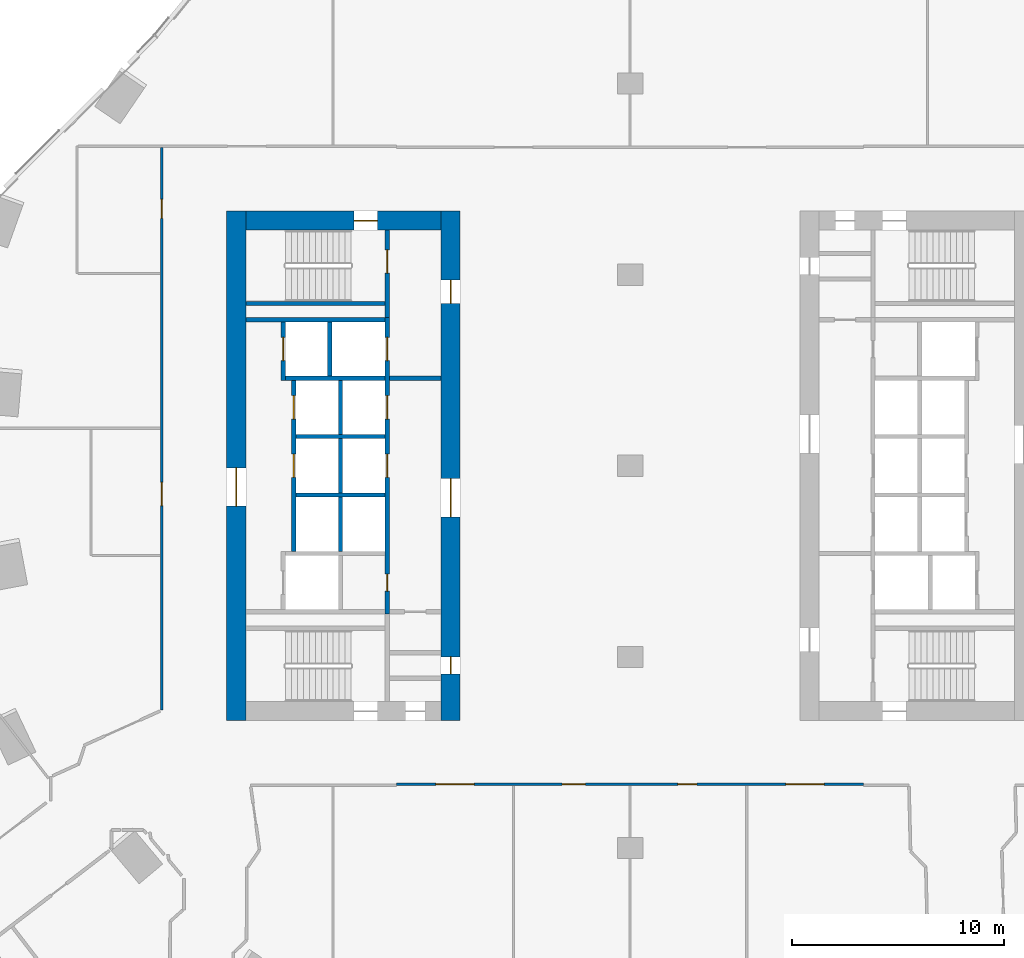
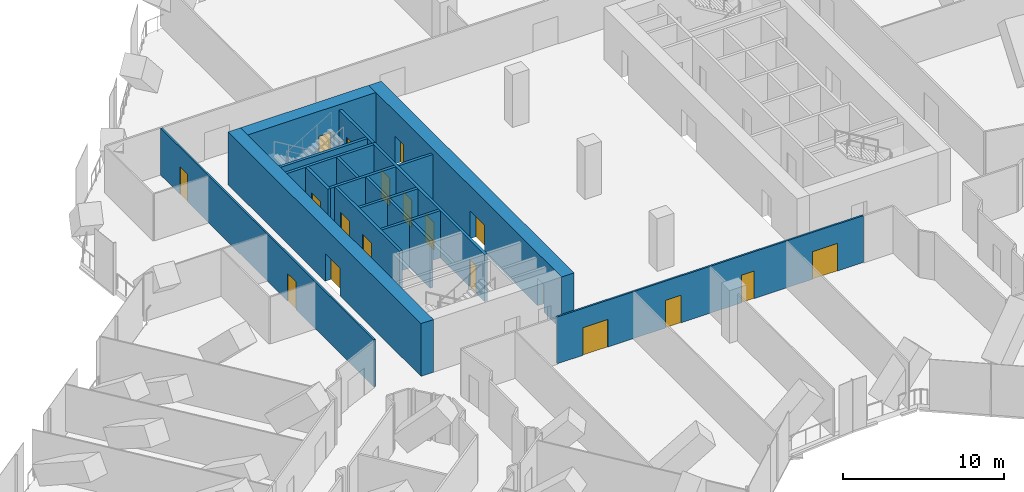
# One storey, part 25 of 32: 19 doors, 19 walls, 19 openings.
"""IFC4 building model written with IfcOpenShell, lengths in metres."""

from ifc_helpers import new_model, si_unit, direction, frame, frame_2d, origin, place, context, subcontext, project, spatial, rectangle, extrude, material, layer, layer_set, type_object, element, fill, save


model = new_model("IFC4")

# Units and contexts
model_context = context("Model", 3, precision=1e-05, world=origin(), true_north=direction((0.0, 1.0)))
body_context = subcontext(model_context, "Body", "Model", "MODEL_VIEW")
ifc_project = project(units=[si_unit("LENGTHUNIT", "METRE"), si_unit("AREAUNIT", "SQUARE_METRE"), si_unit("VOLUMEUNIT", "CUBIC_METRE"), si_unit("PLANEANGLEUNIT", "RADIAN"), si_unit("MASSUNIT", "GRAM", prefix="KILO")], contexts=[model_context])

# Site, building, storey
site_placement = place(None, origin())
site = spatial("IfcSite", under=ifc_project, at=site_placement, CompositionType="ELEMENT")
building_placement = place(site_placement, origin())
building = spatial("IfcBuilding", under=site, at=building_placement, Name="Orlundy Tower", CompositionType="ELEMENT")
storey_placement = place(building_placement, frame((0.0, 0.0, 33.300048828125)))
storey = spatial("IfcBuildingStorey", under=building, at=storey_placement, Name="L06", CompositionType="ELEMENT", Elevation=33.300048828125)

# Wall, opening, door
ifc_material_1 = material(Name="Concrete C80/95", Category="concrete")
ifc_layer_1 = layer(ifc_material_1, 0.89990234375)
ifc_layer_set_1 = layer_set([ifc_layer_1], Name="CORE WALL 900 C80/95")
wall_type_1 = type_object("IfcWallType", Name="CORE WALL 900 C80/95", PredefinedType="SHEAR", material=ifc_layer_set_1)
wall_1_placement = place(storey_placement, frame((-18.10009765625, 11.550048828125, 0.0), z_axis=(0.0, 0.0, 1.0), x_axis=(1.0, 0.0, 0.0)))
wall_1 = element("IfcWall", 1, at=wall_1_placement, inside=storey, type_object=wall_type_1, Name="Core wall W-N L06", PredefinedType="SHEAR", context=body_context, shape_type="SweptSolid", body=[
    extrude(rectangle(XDim=9.2001953125, YDim=0.89990234375, at=frame_2d((4.60009765625, 0.0))), origin(), (0.0, 0.0, 1.0), 4.0),
])
opening_1_placement = place(wall_1_placement, frame((5.10009765625, 0.0, 0.0)))
opening_1 = element("IfcOpeningElement", 2, at=opening_1_placement, cuts=wall_1, Name="Opening 07012", PredefinedType="OPENING", context=body_context, shape_type="SweptSolid", body=[
    extrude(rectangle(XDim=1.10009765625, YDim=2.10009765625, at=frame_2d((0.550048828125, 1.050048828125))), frame((0.0, 0.4599609375, 0.0), z_axis=(0.0, -1.0, 0.0), x_axis=(1.0, 0.0, 0.0)), (0.0, 0.0, 1.0), 0.919921875),
])
ifc_material_2 = material(Name="Steel door set", Category="steel")
door_type_1 = type_object("IfcDoorType", Name="Stair Door 1100x2100", OperationType="SINGLE_SWING_LEFT", PredefinedType="DOOR", material=ifc_material_2)
door_1_placement = place(opening_1_placement, origin())
door_1 = element("IfcDoor", 3, at=door_1_placement, inside=storey, type_object=door_type_1, Name="Stair door 07012", OperationType="SINGLE_SWING_RIGHT", OverallHeight=2.10009765625, OverallWidth=1.10009765625, PredefinedType="DOOR", context=body_context, shape_type="SweptSolid", body=[
    extrude(rectangle(XDim=1.10009765625, YDim=2.10009765625, at=frame_2d((0.550048828125, 1.050048828125))), frame((0.0, 0.02490234375, 0.0), z_axis=(0.0, -1.0, 0.0), x_axis=(1.0, 0.0, 0.0)), (0.0, 0.0, 1.0), 0.050048828125),
])
fill(opening_1, door_1)

wall_2_placement = place(storey_placement, frame((-18.550048828125, -12.0, 0.0), z_axis=(0.0, 0.0, 1.0), x_axis=(0.0, 1.0, 0.0)))
wall_2 = element("IfcWall", 4, at=wall_2_placement, inside=storey, type_object=wall_type_1, Name="Core wall W-W L06", PredefinedType="SHEAR", context=body_context, shape_type="SweptSolid", body=[
    extrude(rectangle(XDim=24.0, YDim=0.89990234375, at=frame_2d((12.0, 0.0))), origin(), (0.0, 0.0, 1.0), 4.0),
])
opening_2_placement = place(wall_2_placement, frame((10.10009765625, 0.0, 0.0)))
opening_2 = element("IfcOpeningElement", 5, at=opening_2_placement, cuts=wall_2, Name="Opening 07010", PredefinedType="OPENING", context=body_context, shape_type="SweptSolid", body=[
    extrude(rectangle(XDim=1.800048828125, YDim=2.10009765625, at=frame_2d((0.89990234375, 1.050048828125))), frame((0.0, 0.4599609375, 0.0), z_axis=(0.0, -1.0, 0.0), x_axis=(1.0, 0.0, 0.0)), (0.0, 0.0, 1.0), 0.919921875),
])
ifc_material_3 = material(Name="Timber door set", Category="wood")
door_type_2 = type_object("IfcDoorType", Name="Lobby Door 1800x2100", OperationType="DOUBLE_DOOR_DOUBLE_SWING", PredefinedType="DOOR", material=ifc_material_3)
door_2_placement = place(opening_2_placement, origin())
door_2 = element("IfcDoor", 6, at=door_2_placement, inside=storey, type_object=door_type_2, Name="Lift lobby door 07010", OperationType="SINGLE_SWING_LEFT", OverallHeight=2.10009765625, OverallWidth=1.800048828125, PredefinedType="DOOR", context=body_context, shape_type="SweptSolid", body=[
    extrude(rectangle(XDim=1.800048828125, YDim=2.10009765625, at=frame_2d((0.89990234375, 1.050048828125))), frame((0.0, 0.02490234375, 0.0), z_axis=(0.0, -1.0, 0.0), x_axis=(1.0, 0.0, 0.0)), (0.0, 0.0, 1.0), 0.050048828125),
])
fill(opening_2, door_2)

# Wall, openings, doors
wall_3_placement = place(storey_placement, frame((-8.449951171875, -12.0, 0.0), z_axis=(0.0, 0.0, 1.0), x_axis=(0.0, 1.0, 0.0)))
wall_3 = element("IfcWall", 7, at=wall_3_placement, inside=storey, type_object=wall_type_1, Name="Core wall W-E L06", PredefinedType="SHEAR", context=body_context, shape_type="SweptSolid", body=[
    extrude(rectangle(XDim=24.0, YDim=0.89990234375, at=frame_2d((12.0, 0.0))), origin(), (0.0, 0.0, 1.0), 4.0),
])
opening_3_placement = place(wall_3_placement, frame((9.60009765625, 0.0, 0.0)))
opening_3 = element("IfcOpeningElement", 8, at=opening_3_placement, cuts=wall_3, Name="Opening 07009", PredefinedType="OPENING", context=body_context, shape_type="SweptSolid", body=[
    extrude(rectangle(XDim=1.800048828125, YDim=2.10009765625, at=frame_2d((0.89990234375, 1.050048828125))), frame((0.0, 0.4599609375, 0.0), z_axis=(0.0, -1.0, 0.0), x_axis=(1.0, 0.0, 0.0)), (0.0, 0.0, 1.0), 0.919921875),
])
opening_4_placement = place(wall_3_placement, frame((19.64990234375, 0.0, 0.0)))
opening_4 = element("IfcOpeningElement", 9, at=opening_4_placement, cuts=wall_3, Name="Opening 07011", PredefinedType="OPENING", context=body_context, shape_type="SweptSolid", body=[
    extrude(rectangle(XDim=1.10009765625, YDim=2.10009765625, at=frame_2d((0.550048828125, 1.050048828125))), frame((0.0, 0.4599609375, 0.0), z_axis=(0.0, -1.0, 0.0), x_axis=(1.0, 0.0, 0.0)), (0.0, 0.0, 1.0), 0.919921875),
])
opening_5_placement = place(wall_3_placement, frame((2.199951171875, 0.0, 0.0)))
opening_5 = element("IfcOpeningElement", 10, at=opening_5_placement, cuts=wall_3, Name="Opening 07016", PredefinedType="OPENING", context=body_context, shape_type="SweptSolid", body=[
    extrude(rectangle(XDim=0.800048828125, YDim=2.10009765625, at=frame_2d((0.39990234375, 1.050048828125))), frame((0.0, 0.4599609375, 0.0), z_axis=(0.0, -1.0, 0.0), x_axis=(1.0, 0.0, 0.0)), (0.0, 0.0, 1.0), 0.919921875),
])
ifc_material_4 = material(Name="Steel door set", Category="steel")
door_type_3 = type_object("IfcDoorType", Name="Fire-fighting Lobby Door 1100x2100", OperationType="SINGLE_SWING_LEFT", PredefinedType="DOOR", material=ifc_material_4)
door_3_placement = place(opening_4_placement, origin())
door_3 = element("IfcDoor", 11, at=door_3_placement, inside=storey, type_object=door_type_3, Name="Fire-fighting lobby door 07011", OperationType="SINGLE_SWING_RIGHT", OverallHeight=2.10009765625, OverallWidth=1.10009765625, PredefinedType="DOOR", context=body_context, shape_type="SweptSolid", body=[
    extrude(rectangle(XDim=1.10009765625, YDim=2.10009765625, at=frame_2d((0.550048828125, 1.050048828125))), frame((0.0, 0.02490234375, 0.0), z_axis=(0.0, -1.0, 0.0), x_axis=(1.0, 0.0, 0.0)), (0.0, 0.0, 1.0), 0.050048828125),
])
fill(opening_4, door_3)
door_4_placement = place(opening_3_placement, origin())
door_4 = element("IfcDoor", 12, at=door_4_placement, inside=storey, type_object=door_type_2, Name="Lift lobby door 07009", OperationType="SINGLE_SWING_LEFT", OverallHeight=2.10009765625, OverallWidth=1.800048828125, PredefinedType="DOOR", context=body_context, shape_type="SweptSolid", body=[
    extrude(rectangle(XDim=1.800048828125, YDim=2.10009765625, at=frame_2d((0.89990234375, 1.050048828125))), frame((0.0, 0.02490234375, 0.0), z_axis=(0.0, -1.0, 0.0), x_axis=(1.0, 0.0, 0.0)), (0.0, 0.0, 1.0), 0.050048828125),
])
fill(opening_3, door_4)
ifc_material_5 = material(Name="Timber door set", Category="wood")
door_type_4 = type_object("IfcDoorType", Name="Riser Door 800x2100", OperationType="SINGLE_SWING_LEFT", PredefinedType="DOOR", material=ifc_material_5)
door_5_placement = place(opening_5_placement, origin())
door_5 = element("IfcDoor", 13, at=door_5_placement, inside=storey, type_object=door_type_4, Name="Door 07016", OperationType="SINGLE_SWING_LEFT", OverallHeight=2.10009765625, OverallWidth=0.800048828125, PredefinedType="DOOR", context=body_context, shape_type="SweptSolid", body=[
    extrude(rectangle(XDim=0.800048828125, YDim=2.10009765625, at=frame_2d((0.39990234375, 1.050048828125))), frame((0.0, 0.02490234375, 0.0), z_axis=(0.0, -1.0, 0.0), x_axis=(1.0, 0.0, 0.0)), (0.0, 0.0, 1.0), 0.050048828125),
])
fill(opening_5, door_5)

ifc_material_6 = material(Name="Gypsum board partition, double layer")
ifc_layer_2 = layer(ifc_material_6, 0.125)
ifc_layer_set_2 = layer_set([ifc_layer_2], Name="Floor partition 125")
wall_type_2 = type_object("IfcWallType", Name="Floor partition 125", PredefinedType="PARTITIONING", material=ifc_layer_set_2)
wall_4_placement = place(storey_placement, frame((10.989990234375, -15.0009765625, 0.0), z_axis=(0.0, 0.0, 1.0), x_axis=(-1.0, 0.0, 0.0)))
wall_4 = element("IfcWall", 14, at=wall_4_placement, inside=storey, type_object=wall_type_2, Name="wall-int-L06-076", PredefinedType="PARTITIONING", context=body_context, shape_type="SweptSolid", body=[
    extrude(rectangle(XDim=21.97998046875, YDim=0.125, at=frame_2d((10.989990234375, 0.0))), origin(), (0.0, 0.0, 1.0), 3.56005859375),
])
opening_6_placement = place(wall_4_placement, frame((18.333984375, 0.0, 0.0)))
opening_6 = element("IfcOpeningElement", 15, at=opening_6_placement, cuts=wall_4, Name="Opening 07121", PredefinedType="OPENING", context=body_context, shape_type="SweptSolid", body=[
    extrude(rectangle(XDim=1.800048828125, YDim=2.10009765625, at=frame_2d((0.89990234375, 1.050048828125))), frame((0.0, 0.072509765625, 0.0), z_axis=(0.0, -1.0, 0.0), x_axis=(1.0, 0.0, 0.0)), (0.0, 0.0, 1.0), 0.14501953125),
])
opening_7_placement = place(wall_4_placement, frame((13.090087890625, 0.0, 0.0)))
opening_7 = element("IfcOpeningElement", 16, at=opening_7_placement, cuts=wall_4, Name="Opening 07122", PredefinedType="OPENING", context=body_context, shape_type="SweptSolid", body=[
    extrude(rectangle(XDim=1.10009765625, YDim=2.10009765625, at=frame_2d((0.550048828125, 1.050048828125))), frame((0.0, 0.072509765625, 0.0), z_axis=(0.0, -1.0, 0.0), x_axis=(1.0, 0.0, 0.0)), (0.0, 0.0, 1.0), 0.14501953125),
])
opening_8_placement = place(wall_4_placement, frame((7.843994140625, 0.0, 0.0)))
opening_8 = element("IfcOpeningElement", 17, at=opening_8_placement, cuts=wall_4, Name="Opening 07123", PredefinedType="OPENING", context=body_context, shape_type="SweptSolid", body=[
    extrude(rectangle(XDim=0.89990234375, YDim=2.10009765625, at=frame_2d((0.449951171875, 1.050048828125))), frame((0.0, 0.072509765625, 0.0), z_axis=(0.0, -1.0, 0.0), x_axis=(1.0, 0.0, 0.0)), (0.0, 0.0, 1.0), 0.14501953125),
])
opening_9_placement = place(wall_4_placement, frame((1.85009765625, 0.0, 0.0)))
opening_9 = element("IfcOpeningElement", 18, at=opening_9_placement, cuts=wall_4, Name="Opening 07124", PredefinedType="OPENING", context=body_context, shape_type="SweptSolid", body=[
    extrude(rectangle(XDim=1.800048828125, YDim=2.10009765625, at=frame_2d((0.89990234375, 1.050048828125))), frame((0.0, 0.072509765625, 0.0), z_axis=(0.0, -1.0, 0.0), x_axis=(1.0, 0.0, 0.0)), (0.0, 0.0, 1.0), 0.14501953125),
])
ifc_material_7 = material(Name="Timber door leaf", Category="wood")
door_type_5 = type_object("IfcDoorType", Name="Floor door double 1800 FD30S", OperationType="NOTDEFINED", PredefinedType="DOOR", material=ifc_material_7)
door_6_placement = place(opening_6_placement, origin())
door_6 = element("IfcDoor", 19, at=door_6_placement, inside=storey, type_object=door_type_5, Name="Door 07121", OperationType="DOUBLE_DOOR_SINGLE_SWING", OverallHeight=2.10009765625, OverallWidth=1.800048828125, PredefinedType="DOOR", context=body_context, shape_type="SweptSolid", body=[
    extrude(rectangle(XDim=1.800048828125, YDim=2.10009765625, at=frame_2d((0.89990234375, 1.050048828125))), frame((0.0, 0.02490234375, 0.0), z_axis=(0.0, -1.0, 0.0), x_axis=(1.0, 0.0, 0.0)), (0.0, 0.0, 1.0), 0.050048828125),
])
fill(opening_6, door_6)
door_7_placement = place(opening_9_placement, origin())
door_7 = element("IfcDoor", 20, at=door_7_placement, inside=storey, type_object=door_type_5, Name="Door 07124", OperationType="DOUBLE_DOOR_SINGLE_SWING", OverallHeight=2.10009765625, OverallWidth=1.800048828125, PredefinedType="DOOR", context=body_context, shape_type="SweptSolid", body=[
    extrude(rectangle(XDim=1.800048828125, YDim=2.10009765625, at=frame_2d((0.89990234375, 1.050048828125))), frame((0.0, 0.02490234375, 0.0), z_axis=(0.0, -1.0, 0.0), x_axis=(1.0, 0.0, 0.0)), (0.0, 0.0, 1.0), 0.050048828125),
])
fill(opening_9, door_7)
ifc_material_8 = material(Name="Timber door leaf", Category="wood")
door_type_6 = type_object("IfcDoorType", Name="Floor door single 900 FD30S", OperationType="NOTDEFINED", PredefinedType="DOOR", material=ifc_material_8)
door_8_placement = place(opening_8_placement, origin())
door_8 = element("IfcDoor", 21, at=door_8_placement, inside=storey, type_object=door_type_6, Name="Door 07123", OperationType="SINGLE_SWING_LEFT", OverallHeight=2.10009765625, OverallWidth=0.89990234375, PredefinedType="DOOR", context=body_context, shape_type="SweptSolid", body=[
    extrude(rectangle(XDim=0.89990234375, YDim=2.10009765625, at=frame_2d((0.449951171875, 1.050048828125))), frame((0.0, 0.02490234375, 0.0), z_axis=(0.0, -1.0, 0.0), x_axis=(1.0, 0.0, 0.0)), (0.0, 0.0, 1.0), 0.050048828125),
])
fill(opening_8, door_8)
ifc_material_9 = material(Name="Timber door leaf", Category="wood")
door_type_7 = type_object("IfcDoorType", Name="Floor door xwide 1100 FD30S", OperationType="NOTDEFINED", PredefinedType="DOOR", material=ifc_material_9)
door_9_placement = place(opening_7_placement, origin())
door_9 = element("IfcDoor", 22, at=door_9_placement, inside=storey, type_object=door_type_7, Name="Door 07122", OperationType="SINGLE_SWING_RIGHT", OverallHeight=2.10009765625, OverallWidth=1.10009765625, PredefinedType="DOOR", context=body_context, shape_type="SweptSolid", body=[
    extrude(rectangle(XDim=1.10009765625, YDim=2.10009765625, at=frame_2d((0.550048828125, 1.050048828125))), frame((0.0, 0.02490234375, 0.0), z_axis=(0.0, -1.0, 0.0), x_axis=(1.0, 0.0, 0.0)), (0.0, 0.0, 1.0), 0.050048828125),
])
fill(opening_7, door_9)

wall_5_placement = place(storey_placement, frame((-22.050048828125, -11.510986328125, 0.0), z_axis=(0.0, 0.0, 1.0), x_axis=(0.0, 1.0, 0.0)))
wall_5 = element("IfcWall", 23, at=wall_5_placement, inside=storey, type_object=wall_type_2, Name="wall-int-L06-156", PredefinedType="PARTITIONING", context=body_context, shape_type="SweptSolid", body=[
    extrude(rectangle(XDim=26.4970703125, YDim=0.125, at=frame_2d((13.24853515625, 0.0))), origin(), (0.0, 0.0, 1.0), 3.56005859375),
])
opening_10_placement = place(wall_5_placement, frame((23.159912109375, 0.0, 0.0)))
opening_10 = element("IfcOpeningElement", 24, at=opening_10_placement, cuts=wall_5, Name="Opening 07131", PredefinedType="OPENING", context=body_context, shape_type="SweptSolid", body=[
    extrude(rectangle(XDim=0.89990234375, YDim=2.10009765625, at=frame_2d((0.449951171875, 1.050048828125))), frame((0.0, 0.072509765625, 0.0), z_axis=(0.0, -1.0, 0.0), x_axis=(1.0, 0.0, 0.0)), (0.0, 0.0, 1.0), 0.14501953125),
])
opening_11_placement = place(wall_5_placement, frame((9.6298828125, 0.0, 0.0)))
opening_11 = element("IfcOpeningElement", 25, at=opening_11_placement, cuts=wall_5, Name="Opening 07132", PredefinedType="OPENING", context=body_context, shape_type="SweptSolid", body=[
    extrude(rectangle(XDim=1.10009765625, YDim=2.10009765625, at=frame_2d((0.550048828125, 1.050048828125))), frame((0.0, 0.072509765625, 0.0), z_axis=(0.0, -1.0, 0.0), x_axis=(1.0, 0.0, 0.0)), (0.0, 0.0, 1.0), 0.14501953125),
])
door_10_placement = place(opening_10_placement, origin())
door_10 = element("IfcDoor", 26, at=door_10_placement, inside=storey, type_object=door_type_6, Name="Door 07131", OperationType="SINGLE_SWING_RIGHT", OverallHeight=2.10009765625, OverallWidth=0.89990234375, PredefinedType="DOOR", context=body_context, shape_type="SweptSolid", body=[
    extrude(rectangle(XDim=0.89990234375, YDim=2.10009765625, at=frame_2d((0.449951171875, 1.050048828125))), frame((0.0, 0.02490234375, 0.0), z_axis=(0.0, -1.0, 0.0), x_axis=(1.0, 0.0, 0.0)), (0.0, 0.0, 1.0), 0.050048828125),
])
fill(opening_10, door_10)
door_11_placement = place(opening_11_placement, origin())
door_11 = element("IfcDoor", 27, at=door_11_placement, inside=storey, type_object=door_type_7, Name="Door 07132", OperationType="SINGLE_SWING_LEFT", OverallHeight=2.10009765625, OverallWidth=1.10009765625, PredefinedType="DOOR", context=body_context, shape_type="SweptSolid", body=[
    extrude(rectangle(XDim=1.10009765625, YDim=2.10009765625, at=frame_2d((0.550048828125, 1.050048828125))), frame((0.0, 0.02490234375, 0.0), z_axis=(0.0, -1.0, 0.0), x_axis=(1.0, 0.0, 0.0)), (0.0, 0.0, 1.0), 0.050048828125),
])
fill(opening_11, door_11)

# Wall, opening, door
ifc_material_10 = material(Name="Concrete C40/50", Category="concrete")
ifc_layer_3 = layer(ifc_material_10, 0.199951171875)
ifc_layer_set_3 = layer_set([ifc_layer_3], Name="Load-bearing Shaft Wall 200")
wall_type_3 = type_object("IfcWallType", Name="Load-bearing Shaft Wall 200", PredefinedType="SOLIDWALL", material=ifc_layer_set_3)
wall_6_placement = place(storey_placement, frame((-11.43994140625, 6.97509765625, 0.0), z_axis=(0.0, 0.0, 1.0), x_axis=(0.0, 1.0, 0.0)))
wall_6 = element("IfcWall", 28, at=wall_6_placement, inside=storey, type_object=wall_type_3, Name="Shaft wall W07-stair-end-n", PredefinedType="SOLIDWALL", context=body_context, shape_type="SweptSolid", body=[
    extrude(rectangle(XDim=4.125, YDim=0.199951171875, at=frame_2d((2.0625, 0.0))), origin(), (0.0, 0.0, 1.0), 3.579833984375),
])
opening_12_placement = place(wall_6_placement, frame((2.10009765625, 0.0, 0.0)))
opening_12 = element("IfcOpeningElement", 29, at=opening_12_placement, cuts=wall_6, Name="Opening 07014", PredefinedType="OPENING", context=body_context, shape_type="SweptSolid", body=[
    extrude(rectangle(XDim=1.10009765625, YDim=2.10009765625, at=frame_2d((0.550048828125, 1.050048828125))), frame((0.0, 0.110107421875, 0.0), z_axis=(0.0, -1.0, 0.0), x_axis=(1.0, 0.0, 0.0)), (0.0, 0.0, 1.0), 0.22021484375),
])
door_12_placement = place(opening_12_placement, origin())
door_12 = element("IfcDoor", 30, at=door_12_placement, inside=storey, type_object=door_type_3, Name="Fire-fighting lobby to stair door 07014", OperationType="SINGLE_SWING_RIGHT", OverallHeight=2.10009765625, OverallWidth=1.10009765625, PredefinedType="DOOR", context=body_context, shape_type="SweptSolid", body=[
    extrude(rectangle(XDim=1.10009765625, YDim=2.10009765625, at=frame_2d((0.550048828125, 1.050048828125))), frame((0.0, 0.02490234375, 0.0), z_axis=(0.0, -1.0, 0.0), x_axis=(1.0, 0.0, 0.0)), (0.0, 0.0, 1.0), 0.050048828125),
])
fill(opening_12, door_12)

# Walls
wall_7_placement = place(storey_placement, frame((-11.5400390625, 7.64990234375, 0.0), z_axis=(0.0, 0.0, 1.0), x_axis=(-1.0, 0.0, 0.0)))
element("IfcWall", 31, at=wall_7_placement, inside=storey, type_object=wall_type_3, Name="Shaft wall W07-stair-side-n", PredefinedType="SOLIDWALL", context=body_context, shape_type="SweptSolid", body=[
    extrude(rectangle(XDim=6.56005859375, YDim=0.199951171875, at=frame_2d((3.280029296875, 0.0))), origin(), (0.0, 0.0, 1.0), 3.579833984375),
])
ifc_material_11 = material(Name="Gypsum board partition on steel studs", Category="steel")
ifc_layer_4 = layer(ifc_material_11, 0.199951171875)
ifc_layer_set_4 = layer_set([ifc_layer_4], Name="Partition 200")
wall_type_4 = type_object("IfcWallType", Name="Partition 200", PredefinedType="PARTITIONING", material=ifc_layer_set_4)
wall_8_placement = place(storey_placement, frame((-8.89990234375, 4.125, 0.0), z_axis=(0.0, 0.0, 1.0), x_axis=(-1.0, 0.0, 0.0)))
element("IfcWall", 32, at=wall_8_placement, inside=storey, type_object=wall_type_4, Name="Partition wall W07-lobby-n", PredefinedType="PARTITIONING", context=body_context, shape_type="SweptSolid", body=[
    extrude(rectangle(XDim=2.440185546875, YDim=0.199951171875, at=frame_2d((1.22021484375, 0.0))), origin(), (0.0, 0.0, 1.0), 3.579833984375),
])
ifc_material_12 = material(Name="Fire-rated blockwork shaft wall", Category="masonry")
ifc_layer_5 = layer(ifc_material_12, 0.199951171875)
ifc_layer_set_5 = layer_set([ifc_layer_5], Name="Shaft Wall 200")
wall_type_5 = type_object("IfcWallType", Name="Shaft Wall 200", PredefinedType="SOLIDWALL", material=ifc_layer_set_5)
wall_9_placement = place(storey_placement, frame((-11.5400390625, 6.875, 0.0), z_axis=(0.0, 0.0, 1.0), x_axis=(-1.0, 0.0, 0.0)))
element("IfcWall", 33, at=wall_9_placement, inside=storey, type_object=wall_type_5, Name="Shaft wall W07-zone-n", PredefinedType="SOLIDWALL", context=body_context, shape_type="SweptSolid", body=[
    extrude(rectangle(XDim=6.56005859375, YDim=0.199951171875, at=frame_2d((3.280029296875, 0.0))), origin(), (0.0, 0.0, 1.0), 3.579833984375),
])
for number, where, z_axis, x_axis, name in (
    (34, (-11.5400390625, -1.375, 0.0), (0.0, 0.0, 1.0), (-1.0, 0.0, 0.0), "Shaft wall W07-cross-1.375"),
    (35, (-11.5400390625, 1.375, 0.0), (0.0, 0.0, 1.0), (-1.0, 0.0, 0.0), "Shaft wall W07-cross+1.375"),
):
    element("IfcWall", number, at=place(storey_placement, frame(where, z_axis=z_axis, x_axis=x_axis)), inside=storey, type_object=wall_type_5, Name=name, PredefinedType="SOLIDWALL", context=body_context, shape_type="SweptSolid", body=[
        extrude(rectangle(XDim=4.199951171875, YDim=0.199951171875, at=frame_2d((2.10009765625, 0.0))), origin(), (0.0, 0.0, 1.0), 3.579833984375),
    ])
wall_10_placement = place(storey_placement, frame((-11.5400390625, 4.125, 0.0), z_axis=(0.0, 0.0, 1.0), x_axis=(-1.0, 0.0, 0.0)))
element("IfcWall", 36, at=wall_10_placement, inside=storey, type_object=wall_type_5, Name="Shaft wall W07-cross+4.125", PredefinedType="SOLIDWALL", context=body_context, shape_type="SweptSolid", body=[
    extrude(rectangle(XDim=4.699951171875, YDim=0.199951171875, at=frame_2d((2.35009765625, 0.0))), origin(), (0.0, 0.0, 1.0), 3.579833984375),
])

# Wall, openings, doors
wall_11_placement = place(storey_placement, frame((-11.43994140625, -6.97509765625, 0.0), z_axis=(0.0, 0.0, 1.0), x_axis=(0.0, 1.0, 0.0)))
wall_11 = element("IfcWall", 37, at=wall_11_placement, inside=storey, type_object=wall_type_5, Name="Shaft wall W07-front-h", PredefinedType="SOLIDWALL", context=body_context, shape_type="SweptSolid", body=[
    extrude(rectangle(XDim=13.9501953125, YDim=0.199951171875, at=frame_2d((6.97509765625, 0.0))), origin(), (0.0, 0.0, 1.0), 3.579833984375),
])
opening_13_placement = place(wall_11_placement, frame((6.425048828125, 0.0, 0.0)))
opening_13 = element("IfcOpeningElement", 38, at=opening_13_placement, cuts=wall_11, Name="Opening 07002", PredefinedType="OPENING", context=body_context, shape_type="SweptSolid", body=[
    extrude(rectangle(XDim=1.10009765625, YDim=2.10009765625, at=frame_2d((0.550048828125, 1.050048828125))), frame((0.0, 0.110107421875, 0.0), z_axis=(0.0, -1.0, 0.0), x_axis=(1.0, 0.0, 0.0)), (0.0, 0.0, 1.0), 0.22021484375),
])
opening_14_placement = place(wall_11_placement, frame((9.175048828125, 0.0, 0.0)))
opening_14 = element("IfcOpeningElement", 39, at=opening_14_placement, cuts=wall_11, Name="Opening 07004", PredefinedType="OPENING", context=body_context, shape_type="SweptSolid", body=[
    extrude(rectangle(XDim=1.10009765625, YDim=2.10009765625, at=frame_2d((0.550048828125, 1.050048828125))), frame((0.0, 0.110107421875, 0.0), z_axis=(0.0, -1.0, 0.0), x_axis=(1.0, 0.0, 0.0)), (0.0, 0.0, 1.0), 0.22021484375),
])
opening_15_placement = place(wall_11_placement, frame((11.925048828125, 0.0, 0.0)))
opening_15 = element("IfcOpeningElement", 40, at=opening_15_placement, cuts=wall_11, Name="Opening 07006", PredefinedType="OPENING", context=body_context, shape_type="SweptSolid", body=[
    extrude(rectangle(XDim=1.10009765625, YDim=2.10009765625, at=frame_2d((0.550048828125, 1.050048828125))), frame((0.0, 0.110107421875, 0.0), z_axis=(0.0, -1.0, 0.0), x_axis=(1.0, 0.0, 0.0)), (0.0, 0.0, 1.0), 0.22021484375),
])
opening_16_placement = place(wall_11_placement, frame((1.074951171875, 0.0, 0.0)))
opening_16 = element("IfcOpeningElement", 41, at=opening_16_placement, cuts=wall_11, Name="Opening 07008", PredefinedType="OPENING", context=body_context, shape_type="SweptSolid", body=[
    extrude(rectangle(XDim=0.800048828125, YDim=2.10009765625, at=frame_2d((0.39990234375, 1.050048828125))), frame((0.0, 0.110107421875, 0.0), z_axis=(0.0, -1.0, 0.0), x_axis=(1.0, 0.0, 0.0)), (0.0, 0.0, 1.0), 0.22021484375),
])
ifc_material_13 = material(Name="Steel door set", Category="steel")
door_type_8 = type_object("IfcDoorType", Name="Landing Door 1100x2100", OperationType="DOUBLE_DOOR_SLIDING", PredefinedType="DOOR", material=ifc_material_13)
door_13_placement = place(opening_13_placement, origin())
door_13 = element("IfcDoor", 42, at=door_13_placement, inside=storey, type_object=door_type_8, Name="Lift landing door LP-05 07002", OperationType="DOUBLE_DOOR_SLIDING", OverallHeight=2.10009765625, OverallWidth=1.10009765625, PredefinedType="DOOR", context=body_context, shape_type="SweptSolid", body=[
    extrude(rectangle(XDim=1.10009765625, YDim=2.10009765625, at=frame_2d((0.550048828125, 1.050048828125))), frame((0.0, 0.02490234375, 0.0), z_axis=(0.0, -1.0, 0.0), x_axis=(1.0, 0.0, 0.0)), (0.0, 0.0, 1.0), 0.050048828125),
])
fill(opening_13, door_13)
door_14_placement = place(opening_14_placement, origin())
door_14 = element("IfcDoor", 43, at=door_14_placement, inside=storey, type_object=door_type_8, Name="Lift landing door LP-02 07004", OperationType="DOUBLE_DOOR_SLIDING", OverallHeight=2.10009765625, OverallWidth=1.10009765625, PredefinedType="DOOR", context=body_context, shape_type="SweptSolid", body=[
    extrude(rectangle(XDim=1.10009765625, YDim=2.10009765625, at=frame_2d((0.550048828125, 1.050048828125))), frame((0.0, 0.02490234375, 0.0), z_axis=(0.0, -1.0, 0.0), x_axis=(1.0, 0.0, 0.0)), (0.0, 0.0, 1.0), 0.050048828125),
])
fill(opening_14, door_14)
door_15_placement = place(opening_15_placement, origin())
door_15 = element("IfcDoor", 44, at=door_15_placement, inside=storey, type_object=door_type_8, Name="Lift landing door FL1 07006", OperationType="DOUBLE_DOOR_SLIDING", OverallHeight=2.10009765625, OverallWidth=1.10009765625, PredefinedType="DOOR", context=body_context, shape_type="SweptSolid", body=[
    extrude(rectangle(XDim=1.10009765625, YDim=2.10009765625, at=frame_2d((0.550048828125, 1.050048828125))), frame((0.0, 0.02490234375, 0.0), z_axis=(0.0, -1.0, 0.0), x_axis=(1.0, 0.0, 0.0)), (0.0, 0.0, 1.0), 0.050048828125),
])
fill(opening_15, door_15)
door_16_placement = place(opening_16_placement, origin())
door_16 = element("IfcDoor", 45, at=door_16_placement, inside=storey, type_object=door_type_4, Name="Pantry Store door 07008", OperationType="SINGLE_SWING_LEFT", OverallHeight=2.10009765625, OverallWidth=0.800048828125, PredefinedType="DOOR", context=body_context, shape_type="SweptSolid", body=[
    extrude(rectangle(XDim=0.800048828125, YDim=2.10009765625, at=frame_2d((0.39990234375, 1.050048828125))), frame((0.0, 0.02490234375, 0.0), z_axis=(0.0, -1.0, 0.0), x_axis=(1.0, 0.0, 0.0)), (0.0, 0.0, 1.0), 0.050048828125),
])
fill(opening_16, door_16)

# Walls
for number, where, z_axis, x_axis, name in (
    (46, (-13.639892578125, -4.02490234375, 0.0), (0.0, 0.0, 1.0), (0.0, 1.0, 0.0), "Shaft wall W07-mid-a.1"),
    (47, (-13.639892578125, -1.27490234375, 0.0), (0.0, 0.0, 1.0), (0.0, 1.0, 0.0), "Shaft wall W07-mid-a.2"),
    (48, (-13.639892578125, 1.47509765625, 0.0), (0.0, 0.0, 1.0), (0.0, 1.0, 0.0), "Shaft wall W07-mid-a.3"),
    (49, (-14.139892578125, 4.22509765625, 0.0), (0.0, 0.0, 1.0), (0.0, 1.0, 0.0), "Shaft wall W07-mid-b"),
):
    element("IfcWall", number, at=place(storey_placement, frame(where, z_axis=z_axis, x_axis=x_axis)), inside=storey, type_object=wall_type_5, Name=name, PredefinedType="SOLIDWALL", context=body_context, shape_type="SweptSolid", body=[
        extrude(rectangle(XDim=2.5498046875, YDim=0.199951171875, at=frame_2d((1.27490234375, 0.0))), origin(), (0.0, 0.0, 1.0), 3.579833984375),
    ])

# Wall, openings, doors
wall_12_placement = place(storey_placement, frame((-15.840087890625, -4.02490234375, 0.0), z_axis=(0.0, 0.0, 1.0), x_axis=(0.0, 1.0, 0.0)))
wall_12 = element("IfcWall", 50, at=wall_12_placement, inside=storey, type_object=wall_type_5, Name="Shaft wall W07-front-o-b", PredefinedType="SOLIDWALL", context=body_context, shape_type="SweptSolid", body=[
    extrude(rectangle(XDim=8.0498046875, YDim=0.199951171875, at=frame_2d((4.02490234375, 0.0))), origin(), (0.0, 0.0, 1.0), 3.579833984375),
])
opening_17_placement = place(wall_12_placement, frame((3.47509765625, 0.0, 0.0)))
opening_17 = element("IfcOpeningElement", 51, at=opening_17_placement, cuts=wall_12, Name="Opening 07003", PredefinedType="OPENING", context=body_context, shape_type="SweptSolid", body=[
    extrude(rectangle(XDim=1.10009765625, YDim=2.10009765625, at=frame_2d((0.550048828125, 1.050048828125))), frame((0.0, 0.110107421875, 0.0), z_axis=(0.0, -1.0, 0.0), x_axis=(1.0, 0.0, 0.0)), (0.0, 0.0, 1.0), 0.22021484375),
])
opening_18_placement = place(wall_12_placement, frame((6.22509765625, 0.0, 0.0)))
opening_18 = element("IfcOpeningElement", 52, at=opening_18_placement, cuts=wall_12, Name="Opening 07005", PredefinedType="OPENING", context=body_context, shape_type="SweptSolid", body=[
    extrude(rectangle(XDim=1.10009765625, YDim=2.10009765625, at=frame_2d((0.550048828125, 1.050048828125))), frame((0.0, 0.110107421875, 0.0), z_axis=(0.0, -1.0, 0.0), x_axis=(1.0, 0.0, 0.0)), (0.0, 0.0, 1.0), 0.22021484375),
])
door_17_placement = place(opening_17_placement, origin())
door_17 = element("IfcDoor", 53, at=door_17_placement, inside=storey, type_object=door_type_8, Name="Lift landing door LP-01 07003", OperationType="DOUBLE_DOOR_SLIDING", OverallHeight=2.10009765625, OverallWidth=1.10009765625, PredefinedType="DOOR", context=body_context, shape_type="SweptSolid", body=[
    extrude(rectangle(XDim=1.10009765625, YDim=2.10009765625, at=frame_2d((0.550048828125, 1.050048828125))), frame((0.0, 0.02490234375, 0.0), z_axis=(0.0, -1.0, 0.0), x_axis=(1.0, 0.0, 0.0)), (0.0, 0.0, 1.0), 0.050048828125),
])
fill(opening_17, door_17)
door_18_placement = place(opening_18_placement, origin())
door_18 = element("IfcDoor", 54, at=door_18_placement, inside=storey, type_object=door_type_8, Name="Lift landing door LP-03 07005", OperationType="DOUBLE_DOOR_SLIDING", OverallHeight=2.10009765625, OverallWidth=1.10009765625, PredefinedType="DOOR", context=body_context, shape_type="SweptSolid", body=[
    extrude(rectangle(XDim=1.10009765625, YDim=2.10009765625, at=frame_2d((0.550048828125, 1.050048828125))), frame((0.0, 0.02490234375, 0.0), z_axis=(0.0, -1.0, 0.0), x_axis=(1.0, 0.0, 0.0)), (0.0, 0.0, 1.0), 0.050048828125),
])
fill(opening_18, door_18)

# Wall, opening, door
wall_13_placement = place(storey_placement, frame((-16.340087890625, 4.02490234375, 0.0), z_axis=(0.0, 0.0, 1.0), x_axis=(0.0, 1.0, 0.0)))
wall_13 = element("IfcWall", 55, at=wall_13_placement, inside=storey, type_object=wall_type_5, Name="Shaft wall W07-front-o-c", PredefinedType="SOLIDWALL", context=body_context, shape_type="SweptSolid", body=[
    extrude(rectangle(XDim=2.75, YDim=0.199951171875, at=frame_2d((1.375, 0.0))), origin(), (0.0, 0.0, 1.0), 3.579833984375),
])
opening_19_placement = place(wall_13_placement, frame((0.925048828125, 0.0, 0.0)))
opening_19 = element("IfcOpeningElement", 56, at=opening_19_placement, cuts=wall_13, Name="Opening 07007", PredefinedType="OPENING", context=body_context, shape_type="SweptSolid", body=[
    extrude(rectangle(XDim=1.10009765625, YDim=2.10009765625, at=frame_2d((0.550048828125, 1.050048828125))), frame((0.0, 0.110107421875, 0.0), z_axis=(0.0, -1.0, 0.0), x_axis=(1.0, 0.0, 0.0)), (0.0, 0.0, 1.0), 0.22021484375),
])
door_19_placement = place(opening_19_placement, origin())
door_19 = element("IfcDoor", 57, at=door_19_placement, inside=storey, type_object=door_type_8, Name="Lift landing door LP-04 07007", OperationType="DOUBLE_DOOR_SLIDING", OverallHeight=2.10009765625, OverallWidth=1.10009765625, PredefinedType="DOOR", context=body_context, shape_type="SweptSolid", body=[
    extrude(rectangle(XDim=1.10009765625, YDim=2.10009765625, at=frame_2d((0.550048828125, 1.050048828125))), frame((0.0, 0.02490234375, 0.0), z_axis=(0.0, -1.0, 0.0), x_axis=(1.0, 0.0, 0.0)), (0.0, 0.0, 1.0), 0.050048828125),
])
fill(opening_19, door_19)

save(model, "model.ifc")
